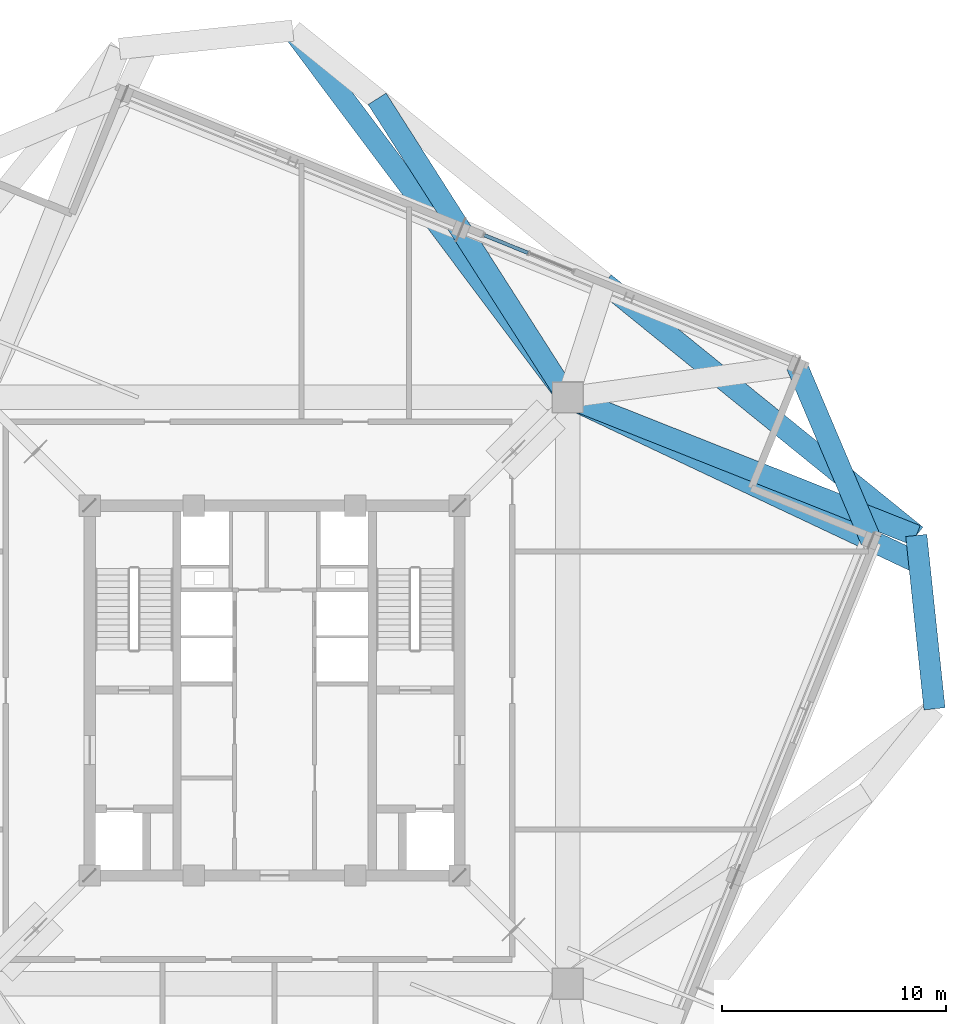
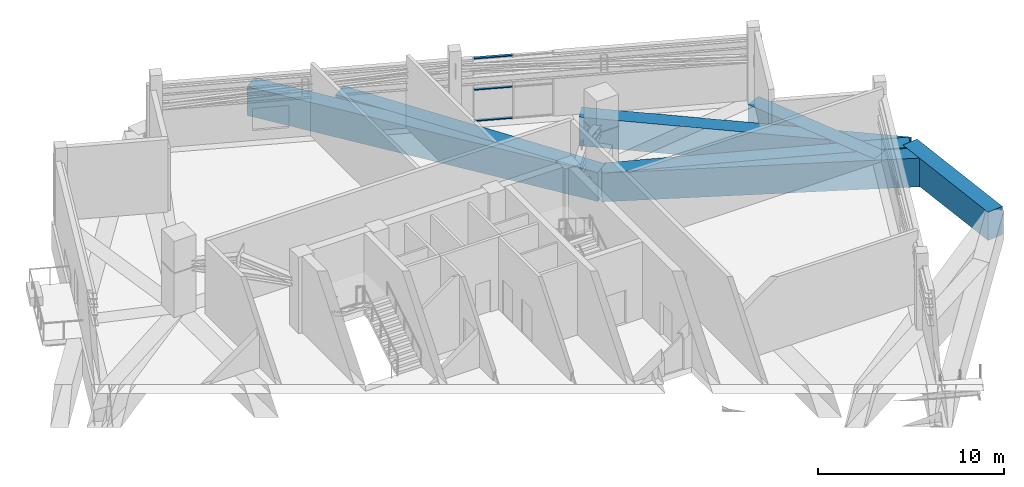
# One storey, part 9 of 20: 7 beams, 3 members, 1 element without a shape of its own.
"""IFC4 building model written with IfcOpenShell, lengths in metres."""

import ifcopenshell
import ifcopenshell.guid

model = None  # the IFC model being written
_history = None  # IfcOwnerHistory: only IFC2X3 demands one
_inside = {}  # id of a spatial element -> (the spatial element, [elements in it])
_under = {}  # id of a project, library or spatial element -> (it, [spatial elements below it])
_declared = {}  # id of a project -> (the project, [libraries it declares])
_typed = {}  # id of a type object -> (the type object, [elements of that type])
_made_of = {}  # id of a material, layer set ... -> (it, [elements and type objects made of it])


def new_model(schema):
    """Start an empty IFC model of exactly this schema.

    Asked for "IFC4X3", IfcOpenShell would pick the latest addendum, in which some entities
    have other attributes; the version numbers below select the first issue.
    IFC2X3 requires an IfcOwnerHistory on every rooted entity: one is made here for all.
    """
    global model, _history
    if schema == "IFC4X3":
        model = ifcopenshell.file(schema_version=(4, 3, 0, 0))
    else:
        model = ifcopenshell.file(schema=schema)
    _inside.clear()
    _under.clear()
    _declared.clear()
    _typed.clear()
    _made_of.clear()
    _history = None
    if model.schema == "IFC2X3":
        org = make("IfcOrganization", Name="unknown")
        user = make(
            "IfcPersonAndOrganization",
            ThePerson=make("IfcPerson", FamilyName="unknown"),
            TheOrganization=org,
        )
        app = make(
            "IfcApplication",
            ApplicationDeveloper=org,
            Version="unknown",
            ApplicationFullName="unknown",
            ApplicationIdentifier="unknown",
        )
        _history = make(
            "IfcOwnerHistory",
            OwningUser=user,
            OwningApplication=app,
            ChangeAction="ADDED",
            CreationDate=0,
        )
    return model


def make(cls, **values):
    """One entity of the class cls with the attributes given. An attribute that is None is left unset."""
    return model.create_entity(
        cls, **{name: value for name, value in values.items() if value is not None}
    )


def rooted(cls, **values):
    """An entity with a GlobalId (a new one), such as an element, a storey or a relation."""
    return make(cls, GlobalId=ifcopenshell.guid.new(), OwnerHistory=_history, **values)


def si_unit(unit_type, name, prefix=None):
    """IfcSIUnit, for example si_unit("LENGTHUNIT", "METRE", prefix="MILLI")."""
    return make("IfcSIUnit", UnitType=unit_type, Prefix=prefix, Name=name)


def assignment(units):
    """IfcUnitAssignment: the units of a project."""
    return None if units is None else make("IfcUnitAssignment", Units=units)


def point(xyz):
    """IfcCartesianPoint."""
    return None if xyz is None else make("IfcCartesianPoint", Coordinates=xyz)


def direction(xyz):
    """IfcDirection."""
    return None if xyz is None else make("IfcDirection", DirectionRatios=xyz)


def frame(location, z_axis=None, x_axis=None):
    """IfcAxis2Placement3D, a coordinate frame: its origin and axes. An axis left out is left unset."""
    return make(
        "IfcAxis2Placement3D",
        Location=point(location),
        Axis=direction(z_axis),
        RefDirection=direction(x_axis),
    )


def frame_2d(location, x_axis=None):
    """IfcAxis2Placement2D, a coordinate frame in the plane: its origin and x axis."""
    return make(
        "IfcAxis2Placement2D", Location=point(location), RefDirection=direction(x_axis)
    )


def origin():
    """The frame at (0, 0, 0) with its axes left unset."""
    return frame((0.0, 0.0, 0.0))


def origin_2d():
    """The frame at (0, 0) in the plane with its x axis left unset."""
    return frame_2d((0.0, 0.0))


def place(relative_to, where):
    """IfcLocalPlacement: puts the frame where relative to a parent placement (None: the world)."""
    return make(
        "IfcLocalPlacement", PlacementRelTo=relative_to, RelativePlacement=where
    )


def context(
    kind, dimensions, precision=None, world=None, true_north=None, identifier=None
):
    """IfcGeometricRepresentationContext, for example the 3D "Model" context."""
    return make(
        "IfcGeometricRepresentationContext",
        ContextIdentifier=identifier,
        ContextType=kind,
        CoordinateSpaceDimension=dimensions,
        Precision=precision,
        WorldCoordinateSystem=world,
        TrueNorth=true_north,
    )


def subcontext(parent, identifier, kind, view, scale=None):
    """IfcGeometricRepresentationSubContext, for example "Body" below "Model"."""
    return make(
        "IfcGeometricRepresentationSubContext",
        ContextIdentifier=identifier,
        ContextType=kind,
        ParentContext=parent,
        TargetScale=scale,
        TargetView=view,
    )


def project(units=None, contexts=None):
    """IfcProject with its units and contexts."""
    return rooted(
        "IfcProject",
        Name="project",
        RepresentationContexts=contexts,
        UnitsInContext=assignment(units),
    )


def spatial(cls, under=None, at=None, **own):
    """A site, building, storey or space (cls), placed at a placement, below another one or the project."""
    s = rooted(cls, ObjectPlacement=at, **own)
    if under is not None:
        _under.setdefault(under.id(), (under, []))[1].append(s)
    return s


def profile(cls, at=None, kind="AREA", **sizes):
    """A parametric profile (cls). Its sizes go by their IFC names, for example OverallWidth=200.0."""
    return make(cls, ProfileType=kind, Position=at, **sizes)


def rectangle(**sizes):
    """IfcRectangleProfileDef."""
    return profile("IfcRectangleProfileDef", **sizes)


def hollow_rectangle(**sizes):
    """IfcRectangleHollowProfileDef."""
    return profile("IfcRectangleHollowProfileDef", **sizes)


def extrude(swept, where, along, depth):
    """IfcExtrudedAreaSolid: the profile swept, set in the frame where, extruded along a direction by depth."""
    return make(
        "IfcExtrudedAreaSolid",
        SweptArea=swept,
        Position=where,
        ExtrudedDirection=direction(along),
        Depth=depth,
    )


def shape(context_of_items, identifier, shape_type, items):
    """IfcShapeRepresentation: the items that make up one representation, for example the "Body"."""
    return make(
        "IfcShapeRepresentation",
        ContextOfItems=context_of_items,
        RepresentationIdentifier=identifier,
        RepresentationType=shape_type,
        Items=items,
    )


def source(mapping_origin, context_of_items, identifier, shape_type, items):
    """IfcRepresentationMap: a shape defined once, which mapped items show again and again."""
    return make(
        "IfcRepresentationMap",
        MappingOrigin=mapping_origin,
        MappedRepresentation=shape(context_of_items, identifier, shape_type, items),
    )


def transform(
    local_origin,
    x_axis=None,
    y_axis=None,
    z_axis=None,
    scale=None,
    scale2=None,
    scale3=None,
    uniform=True,
):
    """IfcCartesianTransformationOperator3D, or its non-uniform kind. x_axis, y_axis, z_axis: its Axis1, 2, 3."""
    if uniform:
        return make(
            "IfcCartesianTransformationOperator3D",
            Axis1=direction(x_axis),
            Axis2=direction(y_axis),
            LocalOrigin=point(local_origin),
            Scale=scale,
            Axis3=direction(z_axis),
        )
    return make(
        "IfcCartesianTransformationOperator3DnonUniform",
        Axis1=direction(x_axis),
        Axis2=direction(y_axis),
        LocalOrigin=point(local_origin),
        Scale=scale,
        Axis3=direction(z_axis),
        Scale2=scale2,
        Scale3=scale3,
    )


def mapped(mapping_source, mapping_target):
    """IfcMappedItem: shows the shape of a source again, moved by a transform."""
    return make(
        "IfcMappedItem", MappingSource=mapping_source, MappingTarget=mapping_target
    )


def material(Name=None, Category=None):
    """IfcMaterial."""
    return make("IfcMaterial", Name=Name, Category=Category)


def layer(
    of_material, thickness, ventilated=None, Name=None, Category=None, Priority=None
):
    """IfcMaterialLayer: one layer of a wall or slab, of a material (None: an air gap)."""
    return make(
        "IfcMaterialLayer",
        Material=of_material,
        LayerThickness=thickness,
        IsVentilated=ventilated,
        Name=Name,
        Category=Category,
        Priority=Priority,
    )


def layer_set(layers, Name=None):
    """IfcMaterialLayerSet."""
    return make("IfcMaterialLayerSet", MaterialLayers=layers, LayerSetName=Name)


def material_profile(
    of_material, cross_section, Name=None, Category=None, Priority=None
):
    """IfcMaterialProfile: a cross section and its material."""
    return make(
        "IfcMaterialProfile",
        Name=Name,
        Material=of_material,
        Profile=cross_section,
        Priority=Priority,
        Category=Category,
    )


def profile_set(profiles, Name=None, composite=None):
    """IfcMaterialProfileSet."""
    return make(
        "IfcMaterialProfileSet",
        Name=Name,
        MaterialProfiles=profiles,
        CompositeProfile=composite,
    )


def made_of(thing, what):
    """Note that an element or type object is made of a material, layer set ...; save() writes the relation."""
    if what is not None:
        _made_of.setdefault(what.id(), (what, []))[1].append(thing)
    return thing


def type_object(cls, material=None, **own):
    """A type object (cls), such as IfcWallType, which elements share."""
    return made_of(rooted(cls, **own), material)


def element(
    cls,
    number,
    at=None,
    inside=None,
    cuts=None,
    type_object=None,
    material=None,
    context=None,
    identifier="Body",
    shape_type=None,
    held_by="IfcProductDefinitionShape",
    body=None,
    shapes=None,
    **own,
):
    """One element of the class cls, such as IfcWall. Its Tag is "e" and its number.

    at: its placement. inside: the storey or other place that contains it. cuts: it is an
    opening in that element (IfcRelVoidsElement). A single representation is given by context,
    identifier, shape_type and body (its items); several are given by shapes. held_by: the class
    of the entity that holds the representations. save() writes the other relations.
    """
    e = rooted(cls, Tag="e%d" % number, ObjectPlacement=at, **own)
    if body is not None:
        shapes = [shape(context, identifier, shape_type, body)]
    if shapes is not None:
        e.Representation = make(held_by, Representations=shapes)
    if inside is not None:
        _inside.setdefault(inside.id(), (inside, []))[1].append(e)
    if cuts is not None:
        rooted(
            "IfcRelVoidsElement", RelatingBuildingElement=cuts, RelatedOpeningElement=e
        )
    if type_object is not None:
        _typed.setdefault(type_object.id(), (type_object, []))[1].append(e)
    return made_of(e, material)


def aggregate(whole, parts):
    """IfcRelAggregates: a whole, such as a stair, and the parts it consists of."""
    return rooted("IfcRelAggregates", RelatingObject=whole, RelatedObjects=parts)


def save(model, path):
    """Write the relations noted so far, then the file.

    IfcRelAggregates (storeys below a building ...), IfcRelContainedInSpatialStructure (elements
    in a storey), IfcRelDefinesByType, IfcRelAssociatesMaterial and IfcRelDeclares: one each for
    every whole, place, type object, material and project.
    """
    for whole, parts in _under.values():
        aggregate(whole, parts)
    for where, things in _inside.values():
        rooted(
            "IfcRelContainedInSpatialStructure",
            RelatedElements=things,
            RelatingStructure=where,
        )
    for kind, things in _typed.values():
        rooted("IfcRelDefinesByType", RelatedObjects=things, RelatingType=kind)
    for what, things in _made_of.values():
        rooted("IfcRelAssociatesMaterial", RelatedObjects=things, RelatingMaterial=what)
    for by, libraries in _declared.values():
        rooted("IfcRelDeclares", RelatingContext=by, RelatedDefinitions=libraries)
    model.write(path)


model = new_model("IFC4")

# Units and contexts
model_context = context("Model", 3, precision=1e-05, world=origin(), true_north=direction((0.0, 1.0)))
body_context = subcontext(model_context, "Body", "Model", "MODEL_VIEW")
ifc_project = project(units=[si_unit("LENGTHUNIT", "METRE"), si_unit("AREAUNIT", "SQUARE_METRE"), si_unit("VOLUMEUNIT", "CUBIC_METRE"), si_unit("PLANEANGLEUNIT", "RADIAN"), si_unit("MASSUNIT", "GRAM", prefix="KILO"), si_unit("THERMODYNAMICTEMPERATUREUNIT", "KELVIN")], contexts=[model_context])

# Site, building, storey
site_placement = place(None, origin())
site = spatial("IfcSite", under=ifc_project, at=site_placement, CompositionType="ELEMENT")
building_placement = place(site_placement, origin())
building = spatial("IfcBuilding", under=site, at=building_placement, Name="Kosmvard Interchange Tower", CompositionType="ELEMENT")
storey_placement = place(building_placement, frame((0.0, 0.0, 260.199951171875)))
storey = spatial("IfcBuildingStorey", under=building, at=storey_placement, Name="L63", CompositionType="ELEMENT", Elevation=260.199951171875)

# Beams
ifc_material_1 = material(Name="Concrete C60/75", Category="concrete")
ifc_material_profile_1 = material_profile(ifc_material_1, rectangle(XDim=0.949951171875, YDim=1.8798828125, at=origin_2d()), Name="TG 950x1880")
ifc_profile_set_1 = profile_set([ifc_material_profile_1], Name="Concrete C60/75")
beam_type_1 = type_object("IfcBeamType", Name="Upper Long-Span Transfer Girder 950x1880 C60/75", PredefinedType="USERDEFINED", material=ifc_profile_set_1)
shared_shape_1 = source(origin(), body_context, "Body", "SweptSolid", [
    extrude(rectangle(XDim=0.949951171875, YDim=1.8798828125, at=origin_2d()), origin(), (0.0, 0.0, 1.0), 17.89990234375),
])
beam_1_placement = place(storey_placement, frame((28.636962890625, 6.92041015625, -0.93994140625), z_axis=(-0.777143856413, 0.629322990554, 0.0), x_axis=(-0.629322990554, -0.777143856413, 0.0)))
element("IfcBeam", 1, at=beam_1_placement, inside=storey, type_object=beam_type_1, Name="BM-L63-LR04", ObjectType="TRANSFER_GIRDER", PredefinedType="USERDEFINED", context=body_context, shape_type="MappedRepresentation", body=[
    mapped(shared_shape_1, transform((0.0, 0.0, 0.0), scale=1.0)),
])
shared_shape_2 = source(origin(), body_context, "Body", "SweptSolid", [
    extrude(rectangle(XDim=0.949951171875, YDim=1.8798828125, at=origin_2d()), origin(), (0.0, 0.0, 1.0), 16.7314453125),
])
beam_2_placement = place(storey_placement, frame((13.0810546875, 13.0810546875, -0.93994140625), z_axis=(0.929743244223, -0.368208500474, 0.0), x_axis=(0.368208500474, 0.929743244223, 0.0)))
element("IfcBeam", 2, at=beam_2_placement, inside=storey, type_object=beam_type_1, Name="BM-L63-LD04", ObjectType="TRANSFER_GIRDER", PredefinedType="USERDEFINED", context=body_context, shape_type="MappedRepresentation", body=[
    mapped(shared_shape_2, transform((0.0, 0.0, 0.0), scale=1.0)),
])
ifc_material_profile_2 = material_profile(ifc_material_1, rectangle(XDim=0.949951171875, YDim=1.85009765625, at=origin_2d()), Name="TG 950x1850")
ifc_profile_set_2 = profile_set([ifc_material_profile_2], Name="Concrete C60/75")
beam_type_2 = type_object("IfcBeamType", Name="Upper Transfer Ring Girder 950x1850 C60/75", PredefinedType="USERDEFINED", material=ifc_profile_set_2)
shared_shape_3 = source(origin(), body_context, "Body", "SweptSolid", [
    extrude(rectangle(XDim=0.949951171875, YDim=1.85009765625, at=origin_2d()), origin(), (0.0, 0.0, 1.0), 7.7783203125),
])
beam_3_placement = place(storey_placement, frame((29.449951171875, -0.815185546875, -0.925048828125), z_axis=(-0.104521394525, 0.994522638298, 0.0), x_axis=(-0.994522638298, -0.104521394525, 0.0)))
element("IfcBeam", 3, at=beam_3_placement, inside=storey, type_object=beam_type_2, Name="BM-L63-LR03", ObjectType="TRANSFER_GIRDER", PredefinedType="USERDEFINED", context=body_context, shape_type="MappedRepresentation", body=[
    mapped(shared_shape_3, transform((0.0, 0.0, 0.0), scale=1.0)),
])
shared_shape_4 = source(origin(), body_context, "Body", "SweptSolid", [
    extrude(rectangle(XDim=0.949951171875, YDim=1.8798828125, at=origin_2d()), origin(), (0.0, 0.0, 1.0), 20.45458984375),
])
beam_4_placement = place(storey_placement, frame((13.0810546875, 13.0810546875, -0.93994140625), z_axis=(-0.599661927179, 0.800253443036, 0.0), x_axis=(-0.800253443036, -0.599661927179, 0.0)))
element("IfcBeam", 4, at=beam_4_placement, inside=storey, type_object=beam_type_1, Name="BM-L63-LD06", ObjectType="TRANSFER_GIRDER", PredefinedType="USERDEFINED", context=body_context, shape_type="MappedRepresentation", body=[
    mapped(shared_shape_4, transform((0.0, 0.0, 0.0), scale=1.0)),
])
shared_shape_5 = source(origin(), body_context, "Body", "SweptSolid", [
    extrude(rectangle(XDim=0.949951171875, YDim=1.8798828125, at=origin_2d()), origin(), (0.0, 0.0, 1.0), 15.8056640625),
])
beam_5_placement = place(storey_placement, frame((13.0810546875, 13.0810546875, -0.93994140625), z_axis=(-0.538047361913, 0.842914607975, 0.0), x_axis=(-0.842914607975, -0.538047361913, 0.0)))
element("IfcBeam", 5, at=beam_5_placement, inside=storey, type_object=beam_type_1, Name="BM-L63-RD05", ObjectType="TRANSFER_GIRDER", PredefinedType="USERDEFINED", context=body_context, shape_type="MappedRepresentation", body=[
    mapped(shared_shape_5, transform((0.0, 0.0, 0.0), scale=1.0)),
])
shared_shape_6 = source(origin(), body_context, "Body", "SweptSolid", [
    extrude(rectangle(XDim=0.949951171875, YDim=1.8798828125, at=origin_2d()), origin(), (0.0, 0.0, 1.0), 17.3466796875),
])
beam_6_placement = place(storey_placement, frame((13.0810546875, 13.0810546875, -0.93994140625), z_axis=(0.904312188366, -0.426871720747, 0.0), x_axis=(0.426871720747, 0.904312188366, 0.0)))
element("IfcBeam", 6, at=beam_6_placement, inside=storey, type_object=beam_type_1, Name="BM-L63-RD03", ObjectType="TRANSFER_GIRDER", PredefinedType="USERDEFINED", context=body_context, shape_type="MappedRepresentation", body=[
    mapped(shared_shape_6, transform((0.0, 0.0, 0.0), scale=1.0)),
])
shared_shape_7 = source(origin(), body_context, "Body", "SweptSolid", [
    extrude(rectangle(XDim=0.949951171875, YDim=1.85009765625, at=origin_2d()), origin(), (0.0, 0.0, 1.0), 8.4853515625),
])
beam_7_placement = place(storey_placement, frame((26.61962890625, 6.690185546875, -0.925048828125), z_axis=(-0.390725696857, 0.920507159025, 0.0), x_axis=(-0.920507159025, -0.390725696857, 0.0)))
element("IfcBeam", 7, at=beam_7_placement, inside=storey, type_object=beam_type_2, Name="BM-L63-PR03", ObjectType="TRANSFER_GIRDER", PredefinedType="USERDEFINED", context=body_context, shape_type="MappedRepresentation", body=[
    mapped(shared_shape_7, transform((0.0, 0.0, 0.0), scale=1.0)),
])

# Curtain wall, members
ifc_material_2 = material(Name="Architectural anodised aluminium", Category="aluminium")
ifc_layer = layer(ifc_material_2, 0.2099609375, Name="Architectural anodised aluminium")
ifc_layer_set = layer_set([ifc_layer], Name="Architectural anodised aluminium")
curtain_wall_type = type_object("IfcCurtainWallType", Name="CW-4 Refuge Transfer Glazed Louvre Wall", PredefinedType="NOTDEFINED", material=ifc_layer_set)
curtain_wall_placement = place(storey_placement, origin())
curtain_wall = element("IfcCurtainWall", 8, at=curtain_wall_placement, inside=storey, type_object=curtain_wall_type, Name="L63 Transfer Louvre Curtain Wall E", PredefinedType="NOTDEFINED")
ifc_material_profile_3 = material_profile(ifc_material_2, hollow_rectangle(XDim=0.159912109375, YDim=0.06494140625, WallThickness=0.00390625, at=origin_2d()), Name="CWT 160x65x4")
ifc_profile_set_3 = profile_set([ifc_material_profile_3], Name="Architectural anodised aluminium")
member_type = type_object("IfcMemberType", Name="Standard CW Transom 160x65 Aluminium", PredefinedType="USERDEFINED", material=ifc_profile_set_3)
shared_shape_8 = source(origin(), body_context, "Body", "SweptSolid", [
    extrude(hollow_rectangle(XDim=0.159912109375, YDim=0.06494140625, WallThickness=0.00390625, at=origin_2d()), origin(), (0.0, 0.0, 1.0), 2.087646484375),
])
member_1_placement = place(storey_placement, frame((11.302734375, 19.533203125, 0.032470703125), z_axis=(-0.92718872564, 0.37459453686, 0.0), x_axis=(-0.37459453686, -0.92718872564, 0.0)))
member_1 = element("IfcMember", 9, at=member_1_placement, type_object=member_type, Name="CW-4 transom 2.1", ObjectType="TRANSOM", PredefinedType="USERDEFINED", context=body_context, shape_type="MappedRepresentation", body=[
    mapped(shared_shape_8, transform((0.0, 0.0, 0.0), scale=1.0)),
])
member_2_placement = place(storey_placement, frame((11.302734375, 19.533203125, 2.074951171875), z_axis=(-0.92718872564, 0.37459453686, 0.0), x_axis=(-0.37459453686, -0.92718872564, 0.0)))
member_2 = element("IfcMember", 10, at=member_2_placement, type_object=member_type, Name="CW-4 transom 2.2", ObjectType="TRANSOM", PredefinedType="USERDEFINED", context=body_context, shape_type="MappedRepresentation", body=[
    mapped(shared_shape_8, transform((0.0, 0.0, 0.0), scale=1.0)),
])
member_3_placement = place(storey_placement, frame((11.302734375, 19.533203125, 4.117431640625), z_axis=(-0.92718872564, 0.37459453686, 0.0), x_axis=(-0.37459453686, -0.92718872564, 0.0)))
member_3 = element("IfcMember", 11, at=member_3_placement, type_object=member_type, Name="CW-4 transom 2.3", ObjectType="TRANSOM", PredefinedType="USERDEFINED", context=body_context, shape_type="MappedRepresentation", body=[
    mapped(shared_shape_8, transform((0.0, 0.0, 0.0), scale=1.0)),
])
aggregate(curtain_wall, [member_1, member_2, member_3])

save(model, "model.ifc")
